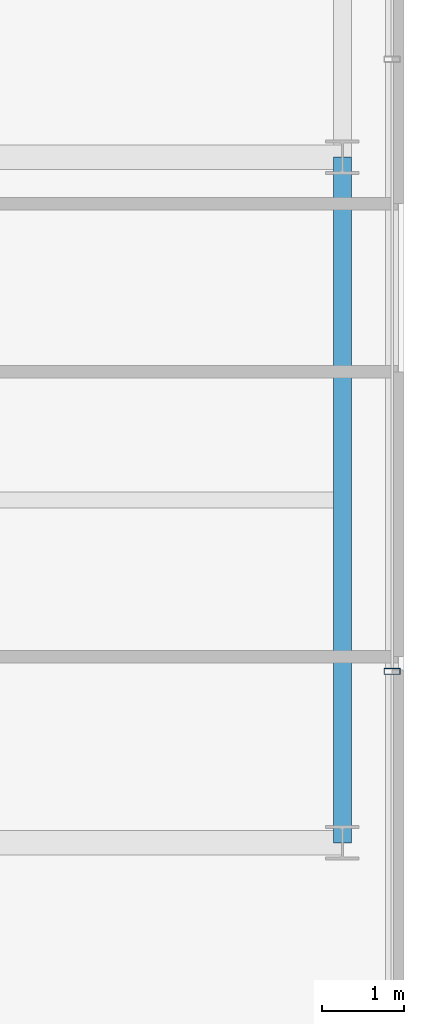
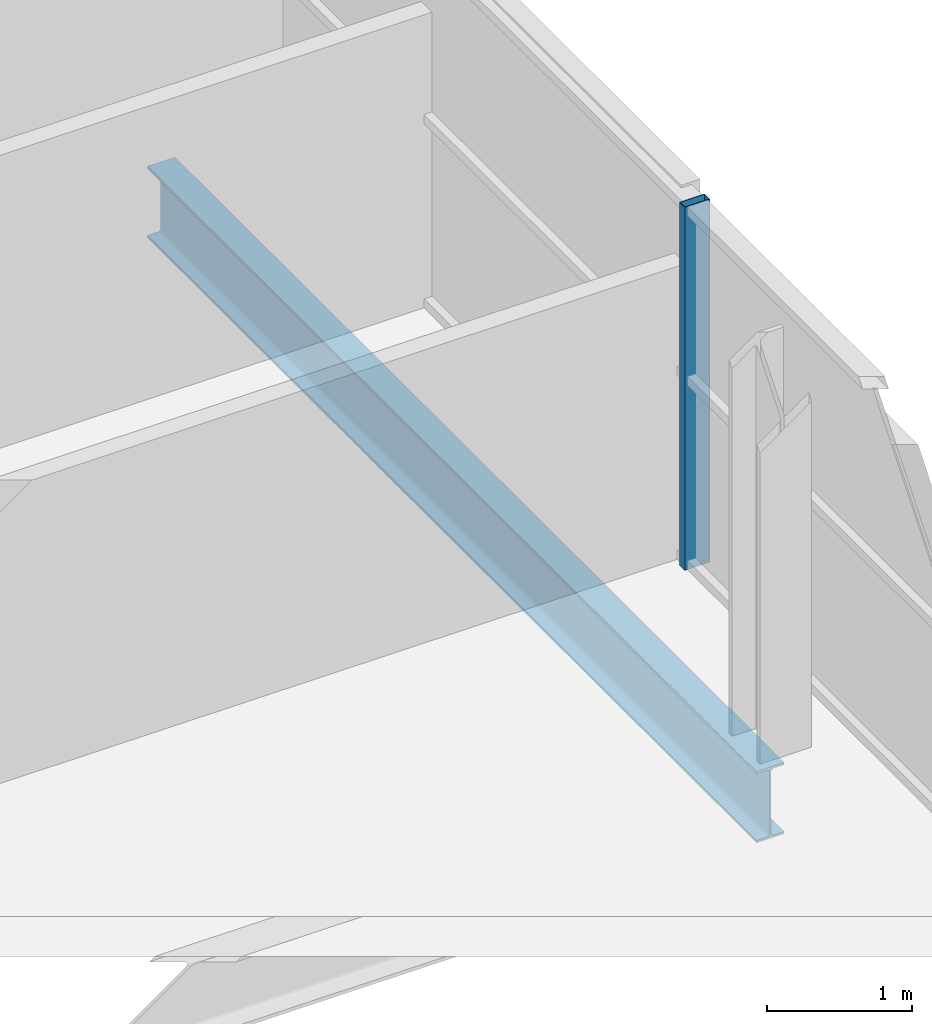
# One storey, part 13 of 31: 1 beam, 1 member, 1 element without a shape of its own.
"""IFC4 building model written with IfcOpenShell, lengths in metres."""

from ifc_helpers import new_model, si_unit, direction, frame, origin, origin_2d, place, context, subcontext, project, spatial, hollow_rectangle, i_section, extrude, source, transform, mapped, material, layer, layer_set, material_profile, profile_set, type_object, element, aggregate, save


model = new_model("IFC4")

# Units and contexts
model_context = context("Model", 3, precision=1e-05, world=origin(), true_north=direction((0.0, 1.0)))
body_context = subcontext(model_context, "Body", "Model", "MODEL_VIEW")
ifc_project = project(units=[si_unit("LENGTHUNIT", "METRE"), si_unit("AREAUNIT", "SQUARE_METRE"), si_unit("VOLUMEUNIT", "CUBIC_METRE"), si_unit("PLANEANGLEUNIT", "RADIAN"), si_unit("MASSUNIT", "GRAM", prefix="KILO")], contexts=[model_context])

# Site, building, storey
site_placement = place(None, origin())
site = spatial("IfcSite", under=ifc_project, at=site_placement, CompositionType="ELEMENT")
building_placement = place(site_placement, origin())
building = spatial("IfcBuilding", under=site, at=building_placement, Name="Zarnakvel Exchange Tower", CompositionType="ELEMENT")
storey_placement = place(building_placement, frame((0.0, 0.0, 67.0)))
storey = spatial("IfcBuildingStorey", under=building, at=storey_placement, Name="L18", CompositionType="ELEMENT", Elevation=67.0)

# Beam
ifc_material_1 = material(Name="Steel S355", Category="steel")
ifc_material_profile_1 = material_profile(ifc_material_1, i_section(OverallWidth=0.219970703125, OverallDepth=0.60009765625, WebThickness=0.011962890625, FlangeThickness=0.01904296875, FilletRadius=0.02392578125, at=origin_2d()))
ifc_profile_set_1 = profile_set([ifc_material_profile_1], Name="Steel S355")
beam_type = type_object("IfcBeamType", Name="SP-01", PredefinedType="SPANDREL", material=ifc_profile_set_1)
beam_placement = place(storey_placement, frame((31.85009765625, -9.60009765625, -0.52490234375), z_axis=(0.0, 1.0, 0.0), x_axis=(-1.0, 0.0, 0.0)))
element("IfcBeam", 1, at=beam_placement, inside=storey, type_object=beam_type, Name="L18 Tower N-S Frame Beam", PredefinedType="SPANDREL", context=body_context, shape_type="SweptSolid", body=[
    extrude(i_section(OverallWidth=0.219970703125, OverallDepth=0.60009765625, WebThickness=0.011962890625, FlangeThickness=0.01904296875, FilletRadius=0.02392578125, at=origin_2d()), origin(), (0.0, 0.0, 1.0), 8.400146484375),
])

# Curtain wall, member
ifc_material_2 = material(Name="Architectural Bronze Anodised Aluminium", Category="aluminium")
ifc_layer = layer(ifc_material_2, 0.199951171875)
ifc_layer_set = layer_set([ifc_layer], Name="Architectural Bronze Anodised Aluminium")
curtain_wall_type = type_object("IfcCurtainWallType", Name="CW-04", PredefinedType="NOTDEFINED", material=ifc_layer_set)
curtain_wall_placement = place(storey_placement, origin())
curtain_wall = element("IfcCurtainWall", 2, at=curtain_wall_placement, inside=storey, type_object=curtain_wall_type, Name="L18 Curtain Wall CW-L18-E1 (CW-04)", PredefinedType="NOTDEFINED")
ifc_material_profile_2 = material_profile(ifc_material_2, hollow_rectangle(XDim=0.199951171875, YDim=0.074951171875, WallThickness=0.0048828125, at=origin_2d()))
ifc_profile_set_2 = profile_set([ifc_material_profile_2], Name="Architectural Bronze Anodised Aluminium")
member_type = type_object("IfcMemberType", Name="CWM-04", PredefinedType="MULLION", material=ifc_profile_set_2)
shared_shape = source(origin(), body_context, "Body", "SweptSolid", [
    extrude(hollow_rectangle(XDim=0.199951171875, YDim=0.074951171875, WallThickness=0.0048828125, at=origin_2d()), origin(), (0.0, 0.0, 1.0), 3.054931640625),
])
member_placement = place(storey_placement, frame((32.4599609375, -7.5, 0.0), z_axis=(0.0, 0.0, 1.0), x_axis=(-1.0, 0.0, 0.0)))
member = element("IfcMember", 3, at=member_placement, type_object=member_type, Name="CW-04 mullion 2", PredefinedType="MULLION", context=body_context, shape_type="MappedRepresentation", body=[
    mapped(shared_shape, transform((0.0, 0.0, 0.0), x_axis=(1.0, 0.0, 0.0), y_axis=(0.0, 1.0, 0.0), z_axis=(0.0, 0.0, 1.0), scale=1.0)),
])
aggregate(curtain_wall, [member])

save(model, "model.ifc")
